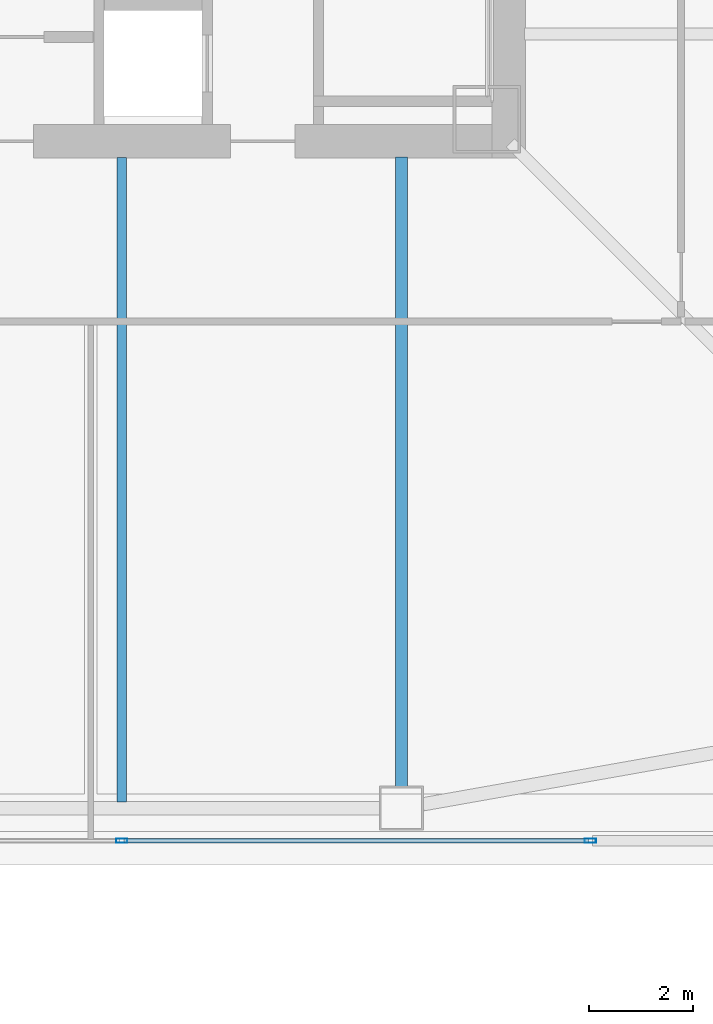
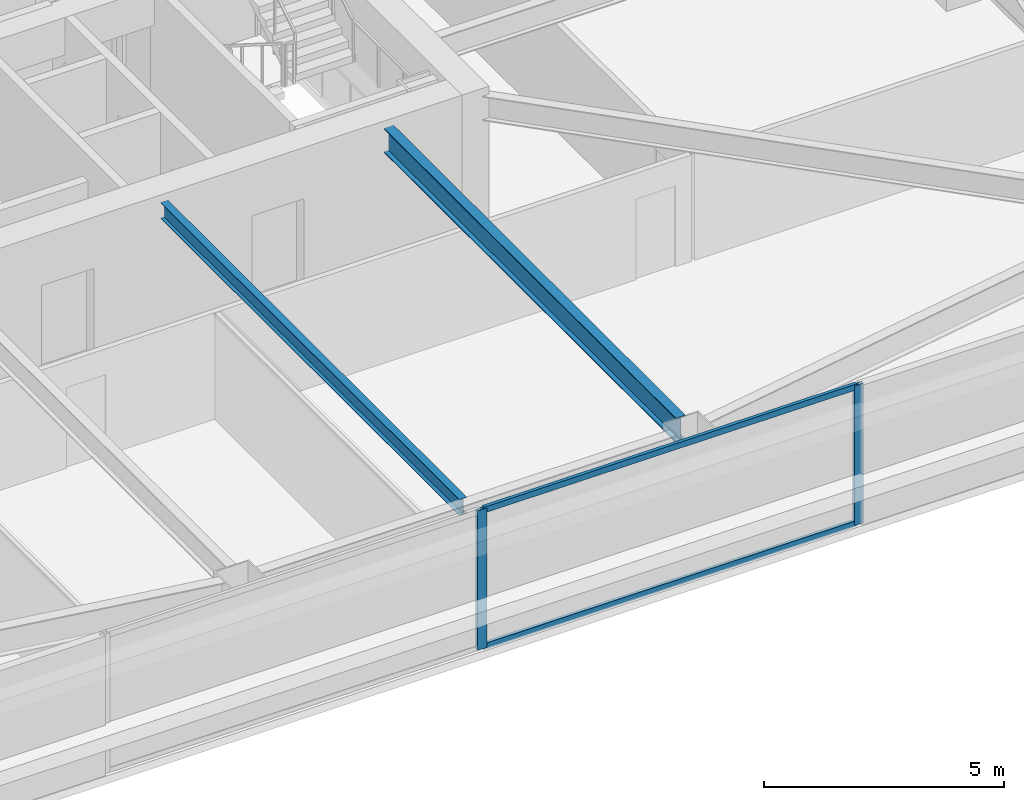
# One storey, part 5 of 48: 4 members, 2 beams, 1 element without a shape of its own.
"""IFC4 building model written with IfcOpenShell, lengths in metres."""

from ifc_helpers import new_model, si_unit, direction, frame, origin, origin_2d, place, context, subcontext, project, spatial, hollow_rectangle, i_section, extrude, material, material_profile, profile_set, type_object, element, aggregate, save


model = new_model("IFC4")

# Units and contexts
model_context = context("Model", 3, precision=1e-05, world=origin(), true_north=direction((0.0, 1.0)))
body_context = subcontext(model_context, "Body", "Model", "MODEL_VIEW")
ifc_project = project(units=[si_unit("LENGTHUNIT", "METRE"), si_unit("AREAUNIT", "SQUARE_METRE"), si_unit("VOLUMEUNIT", "CUBIC_METRE"), si_unit("PLANEANGLEUNIT", "RADIAN"), si_unit("MASSUNIT", "GRAM", prefix="KILO")], contexts=[model_context])

# Site, building, storey
site_placement = place(None, origin())
site = spatial("IfcSite", under=ifc_project, at=site_placement, CompositionType="ELEMENT")
building_placement = place(site_placement, origin())
building = spatial("IfcBuilding", under=site, at=building_placement, Name="Tashvorn Skyway Center", CompositionType="ELEMENT")
storey_placement = place(building_placement, frame((0.0, 0.0, 77.85009765625)))
storey = spatial("IfcBuildingStorey", under=building, at=storey_placement, Name="L20", CompositionType="ELEMENT", Elevation=77.85009765625)

# Beams
ifc_material_1 = material(Name="Steel ASTM A992 Grade 50", Category="steel")
ifc_material_profile_1 = material_profile(ifc_material_1, i_section(OverallWidth=0.22998046875, OverallDepth=0.616943359375, WebThickness=0.01318359375, FlangeThickness=0.022216796875, at=origin_2d()), Name="W24X94")
ifc_profile_set_1 = profile_set([ifc_material_profile_1], Name="Steel ASTM A992 Grade 50")
beam_type_1 = type_object("IfcBeamType", Name="BM-BEAM-W24X94", PredefinedType="BEAM", material=ifc_profile_set_1)
beam_1_placement = place(storey_placement, frame((47.39990234375, 12.070068359375, 3.04150390625), z_axis=(0.0, 1.0, 0.0), x_axis=(-1.0, 0.0, 0.0)))
element("IfcBeam", 1, at=beam_1_placement, inside=storey, type_object=beam_type_1, Name="Tower 1 L20 Primary Floor Girder FC-S2", PredefinedType="BEAM", context=body_context, shape_type="SweptSolid", body=[
    extrude(i_section(OverallWidth=0.22998046875, OverallDepth=0.616943359375, WebThickness=0.01318359375, FlangeThickness=0.022216796875, at=origin_2d()), origin(), (0.0, 0.0, 1.0), 12.14990234375),
])
ifc_material_profile_2 = material_profile(ifc_material_1, i_section(OverallWidth=0.177978515625, OverallDepth=0.406005859375, WebThickness=0.0078125, FlangeThickness=0.0126953125, at=origin_2d()), Name="W16X40")
ifc_profile_set_2 = profile_set([ifc_material_profile_2], Name="Steel ASTM A992 Grade 50")
beam_type_2 = type_object("IfcBeamType", Name="BM-JOIST-W16X40", PredefinedType="JOIST", material=ifc_profile_set_2)
beam_2_placement = place(storey_placement, frame((42.0, 24.2099609375, 3.14697265625), z_axis=(0.0, -1.0, 0.0), x_axis=(1.0, 0.0, 0.0)))
element("IfcBeam", 2, at=beam_2_placement, inside=storey, type_object=beam_type_2, Name="Tower 1 L20 Secondary Composite Joist JS", PredefinedType="JOIST", context=body_context, shape_type="SweptSolid", body=[
    extrude(i_section(OverallWidth=0.177978515625, OverallDepth=0.406005859375, WebThickness=0.0078125, FlangeThickness=0.0126953125, at=origin_2d()), origin(), (0.0, 0.0, 1.0), 12.43994140625),
])

# Curtain wall, members
ifc_material_2 = material(Name="Thermally broken bronze-anodized aluminium 6063-T6", Category="aluminium")
curtain_wall_type = type_object("IfcCurtainWallType", Name="CW-CW-Z2", PredefinedType="NOTDEFINED", material=ifc_material_2)
curtain_wall_placement = place(storey_placement, origin())
curtain_wall = element("IfcCurtainWall", 3, at=curtain_wall_placement, inside=storey, type_object=curtain_wall_type, Name="Tower 1 L20 South Unitised Curtain Wall Glazing Group 2", PredefinedType="NOTDEFINED")
ifc_material_profile_3 = material_profile(ifc_material_2, hollow_rectangle(XDim=0.080078125, YDim=0.219970703125, WallThickness=0.0048828125, at=origin_2d()), Name="ALU-MULL-80x220")
ifc_profile_set_3 = profile_set([ifc_material_profile_3], Name="Thermally broken bronze-anodized aluminium 6063-T6")
member_type_1 = type_object("IfcMemberType", Name="CWM-CW-Z2", PredefinedType="MULLION", material=ifc_profile_set_3)
member_1_placement = place(storey_placement, frame((51.050048828125, 11.02001953125, 0.0), z_axis=(0.0, 0.0, 1.0), x_axis=(0.0, -1.0, 0.0)))
member_1 = element("IfcMember", 4, at=member_1_placement, type_object=member_type_1, Name="CW-Z2 mullion 1", PredefinedType="MULLION", context=body_context, shape_type="SweptSolid", body=[
    extrude(hollow_rectangle(XDim=0.080078125, YDim=0.219970703125, WallThickness=0.0048828125, at=origin_2d()), origin(), (0.0, 0.0, 1.0), 3.5498046875),
])
member_2_placement = place(storey_placement, frame((42.0, 11.02001953125, 0.0), z_axis=(0.0, 0.0, 1.0), x_axis=(0.0, -1.0, 0.0)))
member_2 = element("IfcMember", 5, at=member_2_placement, type_object=member_type_1, Name="CW-Z2 mullion 2", PredefinedType="MULLION", context=body_context, shape_type="SweptSolid", body=[
    extrude(hollow_rectangle(XDim=0.080078125, YDim=0.219970703125, WallThickness=0.0048828125, at=origin_2d()), origin(), (0.0, 0.0, 1.0), 3.5498046875),
])
ifc_material_profile_4 = material_profile(ifc_material_2, hollow_rectangle(XDim=0.080078125, YDim=0.14990234375, WallThickness=0.00439453125, at=origin_2d()), Name="ALU-TRAN-80x150")
ifc_profile_set_4 = profile_set([ifc_material_profile_4], Name="Thermally broken bronze-anodized aluminium 6063-T6")
member_type_2 = type_object("IfcMemberType", Name="CWT-CW-Z2", PredefinedType="USERDEFINED", material=ifc_profile_set_4)
member_3_placement = place(storey_placement, frame((51.010009765625, 11.02001953125, 0.039794921875), z_axis=(-1.0, 0.0, 0.0), x_axis=(0.0, -1.0, 0.0)))
member_3 = element("IfcMember", 6, at=member_3_placement, type_object=member_type_2, Name="CW-Z2 transom 1.1", ObjectType="TRANSOM", PredefinedType="USERDEFINED", context=body_context, shape_type="SweptSolid", body=[
    extrude(hollow_rectangle(XDim=0.080078125, YDim=0.14990234375, WallThickness=0.00439453125, at=origin_2d()), origin(), (0.0, 0.0, 1.0), 8.969970703125),
])
member_4_placement = place(storey_placement, frame((51.010009765625, 11.02001953125, 3.510009765625), z_axis=(-1.0, 0.0, 0.0), x_axis=(0.0, -1.0, 0.0)))
member_4 = element("IfcMember", 7, at=member_4_placement, type_object=member_type_2, Name="CW-Z2 transom 1.2", ObjectType="TRANSOM", PredefinedType="USERDEFINED", context=body_context, shape_type="SweptSolid", body=[
    extrude(hollow_rectangle(XDim=0.080078125, YDim=0.14990234375, WallThickness=0.00439453125, at=origin_2d()), origin(), (0.0, 0.0, 1.0), 8.969970703125),
])
aggregate(curtain_wall, [member_1, member_2, member_3, member_4])

save(model, "model.ifc")
